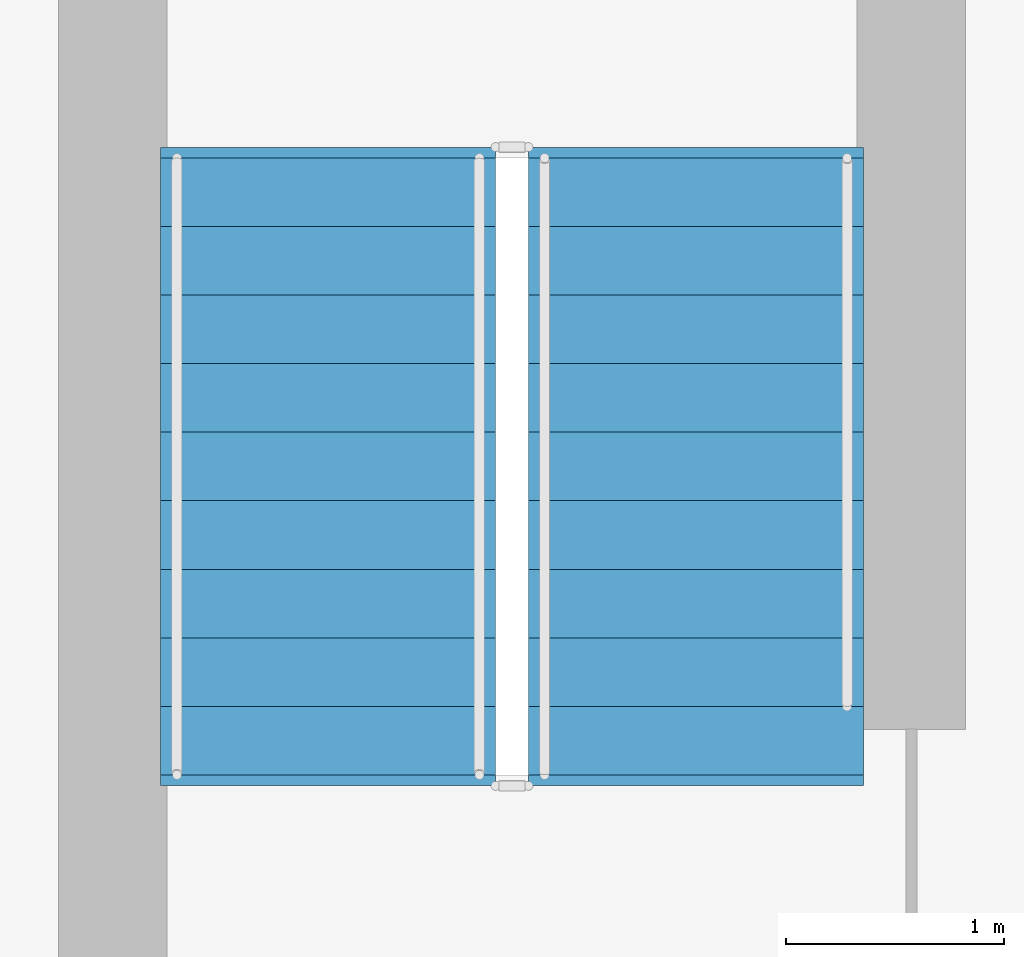
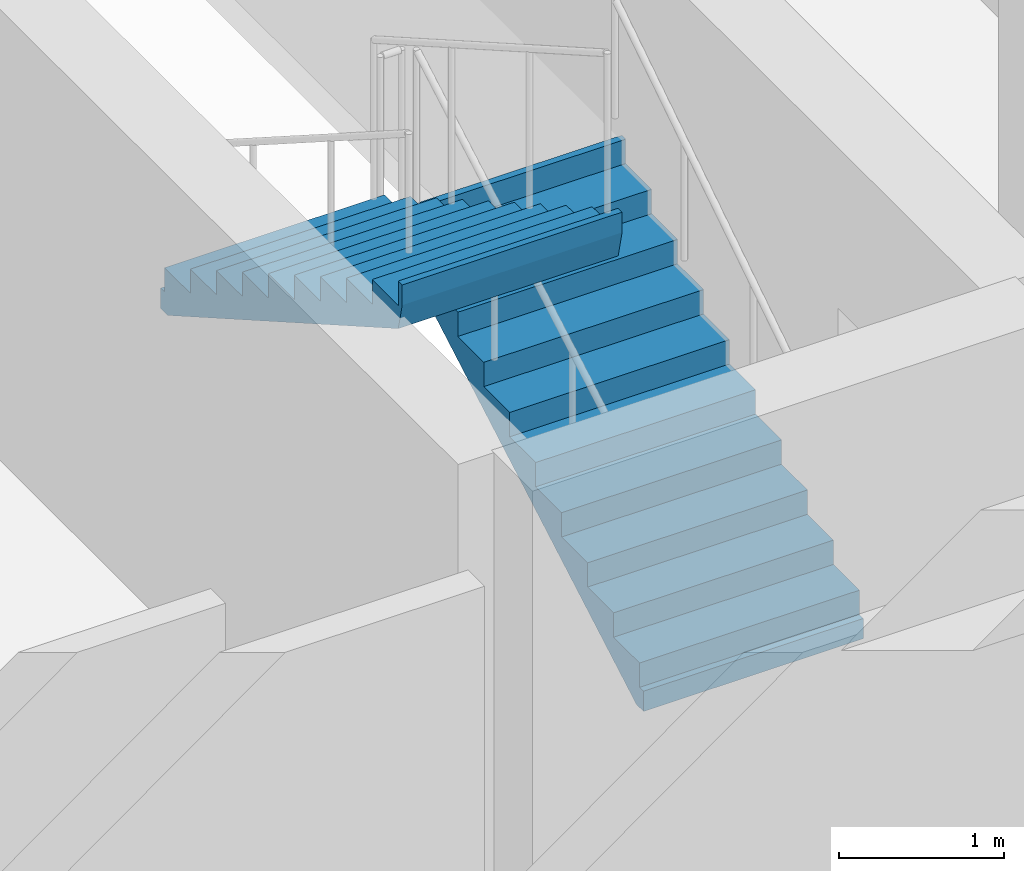
# One storey, part 60 of 68: 2 stair flights, 1 element without a shape of its own.
"""IFC4 building model written with IfcOpenShell, lengths in metres."""

from ifc_helpers import new_model, si_unit, direction, frame, origin, place, context, subcontext, project, spatial, polyline, outline, extrude, material, layer, layer_set, type_object, element, aggregate, save


model = new_model("IFC4")

# Units and contexts
model_context = context("Model", 3, precision=1e-05, world=origin(), true_north=direction((0.0, 1.0)))
body_context = subcontext(model_context, "Body", "Model", "MODEL_VIEW")
ifc_project = project(units=[si_unit("LENGTHUNIT", "METRE"), si_unit("AREAUNIT", "SQUARE_METRE"), si_unit("VOLUMEUNIT", "CUBIC_METRE"), si_unit("PLANEANGLEUNIT", "RADIAN"), si_unit("MASSUNIT", "GRAM", prefix="KILO")], contexts=[model_context])

# Site, building, storey
site_placement = place(None, origin())
site = spatial("IfcSite", under=ifc_project, at=site_placement, CompositionType="ELEMENT")
building_placement = place(site_placement, origin())
building = spatial("IfcBuilding", under=site, at=building_placement, Name="Nakhvara Creek Congress Hotel", CompositionType="ELEMENT")
storey_placement = place(building_placement, frame((0.0, 0.0, 24.60009765625)))
storey = spatial("IfcBuildingStorey", under=building, at=storey_placement, Name="L05", CompositionType="ELEMENT", Elevation=24.60009765625)

# Stair, stair flights
ifc_material = material(Name="Concrete C40/50", Category="concrete")
stair_type = type_object("IfcStairType", Name="ST-CORE-160", PredefinedType="HALF_TURN_STAIR", material=ifc_material)
stair_placement = place(storey_placement, origin())
stair = element("IfcStair", 1, at=stair_placement, inside=storey, type_object=stair_type, Name="L05 Protected Exit Stair ST02", PredefinedType="HALF_TURN_STAIR")
ifc_layer = layer(ifc_material, 0.18994140625)
ifc_layer_set = layer_set([ifc_layer], Name="Concrete C40/50")
stair_flight_type = type_object("IfcStairFlightType", Name="SFL-RC-160", PredefinedType="STRAIGHT", material=ifc_layer_set)
stair_flight_1_placement = place(storey_placement, frame((159.3798828125, 104.5400390625, 0.0), z_axis=(0.0, 0.0, 1.0), x_axis=(0.0, 1.0, 0.0)))
stair_flight_1 = element("IfcStairFlight", 2, at=stair_flight_1_placement, type_object=stair_flight_type, Name="ST02 flight 1", NumberOfRisers=10, NumberOfTreads=9, PredefinedType="STRAIGHT", RiserHeight=0.18, TreadLength=0.315, context=body_context, shape_type="SweptSolid", body=[
    extrude(outline(polyline([(-0.048095703125, 0.0), (0.0, 0.0), (0.0, 0.179931640625), (0.31494140625, 0.179931640625), (0.31494140625, 0.360107421875), (0.6298828125, 0.360107421875), (0.6298828125, 0.5400390625), (0.945068359375, 0.5400390625), (0.945068359375, 0.719970703125), (1.260009765625, 0.719970703125), (1.260009765625, 0.89990234375), (1.574951171875, 0.89990234375), (1.574951171875, 1.080078125), (1.889892578125, 1.080078125), (1.889892578125, 1.260009765625), (2.205078125, 1.260009765625), (2.205078125, 1.43994140625), (2.52001953125, 1.43994140625), (2.52001953125, 1.6201171875), (2.8349609375, 1.6201171875), (2.8349609375, 1.800048828125), (2.883056640625, 1.800048828125), (2.883056640625, 1.650146484375), (2.8349609375, 1.447265625), (0.039794921875, -0.14990234375), (-0.048095703125, -0.14990234375), (-0.048095703125, 0.0)])), frame((0.0, 0.77001953125, 0.0), z_axis=(0.0, -1.0, 0.0), x_axis=(1.0, 0.0, 0.0)), (0.0, 0.0, 1.0), 1.5400390625),
])
stair_flight_2_placement = place(storey_placement, frame((157.68994140625, 107.375, 1.7998046875), z_axis=(0.0, 0.0, 1.0), x_axis=(0.0, -1.0, 0.0)))
stair_flight_2 = element("IfcStairFlight", 3, at=stair_flight_2_placement, type_object=stair_flight_type, Name="ST02 flight 2", NumberOfRisers=10, NumberOfTreads=9, PredefinedType="STRAIGHT", RiserHeight=0.18, TreadLength=0.315, context=body_context, shape_type="SweptSolid", body=[
    extrude(outline(polyline([(-0.048095703125, 0.0), (0.0, 0.0), (0.0, 0.179931640625), (0.31494140625, 0.179931640625), (0.31494140625, 0.360107421875), (0.6298828125, 0.360107421875), (0.6298828125, 0.5400390625), (0.945068359375, 0.5400390625), (0.945068359375, 0.719970703125), (1.260009765625, 0.719970703125), (1.260009765625, 0.89990234375), (1.574951171875, 0.89990234375), (1.574951171875, 1.080078125), (1.889892578125, 1.080078125), (1.889892578125, 1.260009765625), (2.205078125, 1.260009765625), (2.205078125, 1.43994140625), (2.52001953125, 1.43994140625), (2.52001953125, 1.6201171875), (2.8349609375, 1.6201171875), (2.8349609375, 1.800048828125), (2.883056640625, 1.800048828125), (2.883056640625, 1.650146484375), (2.8349609375, 1.447265625), (0.039794921875, -0.14990234375), (-0.048095703125, -0.14990234375), (-0.048095703125, 0.0)])), frame((0.0, 0.77001953125, 0.0), z_axis=(0.0, -1.0, 0.0), x_axis=(1.0, 0.0, 0.0)), (0.0, 0.0, 1.0), 1.5400390625),
])
aggregate(stair, [stair_flight_1, stair_flight_2])

save(model, "model.ifc")
